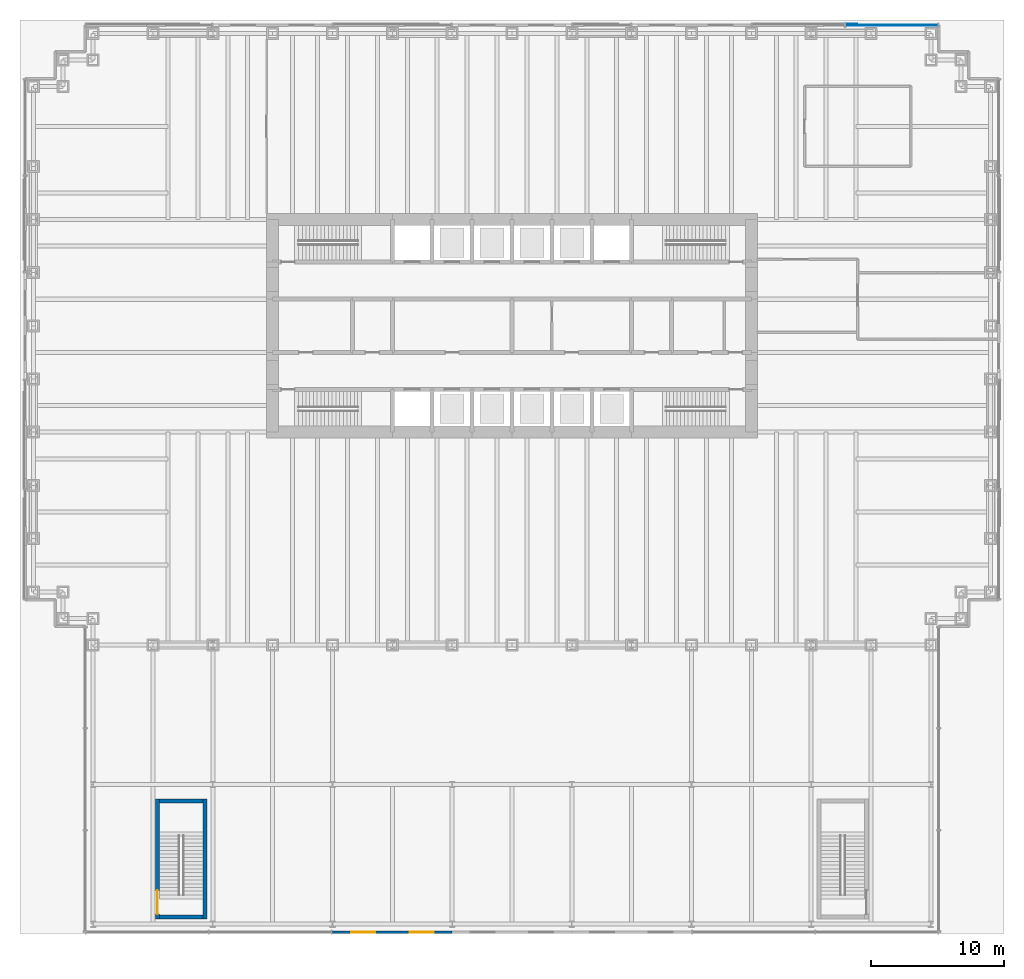
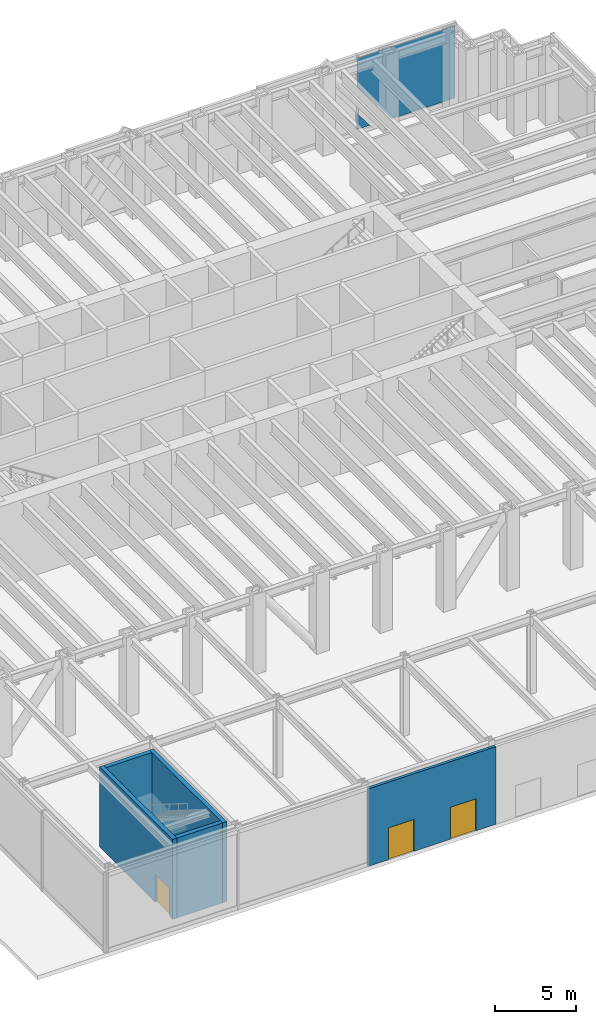
# One storey, part 11 of 17: 5 walls, 3 doors, 2 plates, 3 openings, 1 element without a shape of its own.
"""IFC4 building model written with IfcOpenShell, lengths in metres."""

from ifc_helpers import new_model, si_unit, direction, frame, frame_2d, origin, place, context, subcontext, project, spatial, polyline, rectangle, outline, extrude, material, layer, layer_set, type_object, element, fill, aggregate, save


model = new_model("IFC4")

# Units and contexts
model_context = context("Model", 3, precision=1e-05, world=origin(), true_north=direction((0.0, 1.0)))
body_context = subcontext(model_context, "Body", "Model", "MODEL_VIEW")
ifc_project = project(units=[si_unit("LENGTHUNIT", "METRE"), si_unit("AREAUNIT", "SQUARE_METRE"), si_unit("VOLUMEUNIT", "CUBIC_METRE"), si_unit("PLANEANGLEUNIT", "RADIAN"), si_unit("MASSUNIT", "GRAM", prefix="KILO")], contexts=[model_context])

# Site, building, storey
site_placement = place(None, origin())
site = spatial("IfcSite", under=ifc_project, at=site_placement, CompositionType="ELEMENT")
building_placement = place(site_placement, origin())
building = spatial("IfcBuilding", under=site, at=building_placement, Name="Rheinbord Bourse Tower", CompositionType="ELEMENT")
storey_placement = place(building_placement, origin())
storey = spatial("IfcBuildingStorey", under=building, at=storey_placement, Name="L00", CompositionType="ELEMENT", Elevation=0.0)

# Curtain wall, plates
ifc_material_1 = material(Name="Dark glass and black aluminium", Category="aluminium")
curtain_wall_type = type_object("IfcCurtainWallType", Name="CW4 DARK GLASS CURTAIN WALL", PredefinedType="USERDEFINED", material=ifc_material_1)
curtain_wall_placement = place(storey_placement, origin())
curtain_wall = element("IfcCurtainWall", 1, at=curtain_wall_placement, inside=storey, type_object=curtain_wall_type, Name="Curtain wall CW4 N L00", ObjectType="UNITISED CURTAIN WALL", PredefinedType="USERDEFINED")
ifc_material_2 = material(Name="Dark tinted triple insulating glass", Category="glass")
ifc_layer_1 = layer(ifc_material_2, 0.068115234375)
ifc_layer_set_1 = layer_set([ifc_layer_1], Name="CW4 DARK GLASS PANEL")
plate_type = type_object("IfcPlateType", Name="CW4 DARK GLASS PANEL", PredefinedType="CURTAIN_PANEL", material=ifc_layer_set_1)
plate_1_placement = place(storey_placement, frame((68.010009765625, 46.63427734375, 0.300048828125), z_axis=(0.0, -1.0, 0.0), x_axis=(0.0, 0.0, 1.0)))
plate_1 = element("IfcPlate", 2, at=plate_1_placement, type_object=plate_type, Name="CW4 glass facet 1", PredefinedType="CURTAIN_PANEL", context=body_context, shape_type="SweptSolid", body=[
    extrude(outline(polyline([(0.0, 0.0), (5.39990234375, 0.0), (5.39990234375, 6.9150390625), (3.248046875, 6.9150390625), (0.0, 4.47900390625), (0.0, 0.0)])), origin(), (0.0, 0.0, 1.0), 0.068115234375),
])
plate_2_placement = place(storey_placement, frame((61.094970703125, 46.70703125, 0.300048828125), z_axis=(0.0, -1.0, 0.0), x_axis=(1.0, 0.0, 0.0)))
plate_2 = element("IfcPlate", 3, at=plate_2_placement, type_object=plate_type, Name="CW4 glass facet 2", PredefinedType="CURTAIN_PANEL", context=body_context, shape_type="SweptSolid", body=[
    extrude(outline(polyline([(0.0, 0.0), (0.924072265625, 0.0), (0.0, 1.23193359375), (0.0, 0.0)])), origin(), (0.0, 0.0, 1.0), 0.068115234375),
])
aggregate(curtain_wall, [plate_1, plate_2])

# Wall, openings, doors
ifc_material_3 = material(Name="Dark glass and black steel screen", Category="steel")
ifc_layer_2 = layer(ifc_material_3, 0.199951171875)
ifc_layer_set_2 = layer_set([ifc_layer_2], Name="ENTRANCE SCREEN 200")
wall_type_1 = type_object("IfcWallType", Name="ENTRANCE SCREEN 200", PredefinedType="USERDEFINED", material=ifc_layer_set_2)
wall_1_placement = place(storey_placement, frame((22.5, -21.60009765625, 0.0), z_axis=(0.0, 0.0, 1.0), x_axis=(1.0, 0.0, 0.0)))
wall_1 = element("IfcWall", 4, at=wall_1_placement, inside=storey, type_object=wall_type_1, Name="Entrance screen S L00", ObjectType="GLAZED ENTRANCE SCREEN", PredefinedType="USERDEFINED", context=body_context, shape_type="SweptSolid", body=[
    extrude(rectangle(XDim=9.0, YDim=0.199951171875, at=frame_2d((4.5, 0.0))), origin(), (0.0, 0.0, 1.0), 5.820068359375),
])
opening_1_placement = place(wall_1_placement, frame((1.39990234375, 0.0, 0.0)))
opening_1 = element("IfcOpeningElement", 5, at=opening_1_placement, cuts=wall_1, Name="Opening 00ES101", PredefinedType="OPENING", context=body_context, shape_type="SweptSolid", body=[
    extrude(rectangle(XDim=1.800048828125, YDim=2.39990234375, at=frame_2d((0.89990234375, 1.199951171875))), frame((0.0, 0.10986328125, 0.0), z_axis=(0.0, -1.0, 0.0), x_axis=(1.0, 0.0, 0.0)), (0.0, 0.0, 1.0), 0.219970703125),
])
opening_2_placement = place(wall_1_placement, frame((5.800048828125, 0.0, 0.0)))
opening_2 = element("IfcOpeningElement", 6, at=opening_2_placement, cuts=wall_1, Name="Opening 00ES201", PredefinedType="OPENING", context=body_context, shape_type="SweptSolid", body=[
    extrude(rectangle(XDim=1.800048828125, YDim=2.39990234375, at=frame_2d((0.89990234375, 1.199951171875))), frame((0.0, 0.10986328125, 0.0), z_axis=(0.0, -1.0, 0.0), x_axis=(1.0, 0.0, 0.0)), (0.0, 0.0, 1.0), 0.219970703125),
])
ifc_material_4 = material(Name="Dark glass and black steel door", Category="steel")
door_type_1 = type_object("IfcDoorType", Name="ENTRANCE DOOR 1800", OperationType="DOUBLE_DOOR_DOUBLE_SWING", PredefinedType="DOOR", material=ifc_material_4)
door_1_placement = place(opening_1_placement, origin())
door_1 = element("IfcDoor", 7, at=door_1_placement, inside=storey, type_object=door_type_1, Name="Entrance door S", OperationType="SINGLE_SWING_LEFT", OverallHeight=2.39990234375, OverallWidth=1.800048828125, PredefinedType="DOOR", context=body_context, shape_type="SweptSolid", body=[
    extrude(rectangle(XDim=1.800048828125, YDim=2.39990234375, at=frame_2d((0.89990234375, 1.199951171875))), frame((0.0, 0.02490234375, 0.0), z_axis=(0.0, -1.0, 0.0), x_axis=(1.0, 0.0, 0.0)), (0.0, 0.0, 1.0), 0.050048828125),
])
fill(opening_1, door_1)
door_2_placement = place(opening_2_placement, origin())
door_2 = element("IfcDoor", 8, at=door_2_placement, inside=storey, type_object=door_type_1, Name="Entrance door S", OperationType="SINGLE_SWING_LEFT", OverallHeight=2.39990234375, OverallWidth=1.800048828125, PredefinedType="DOOR", context=body_context, shape_type="SweptSolid", body=[
    extrude(rectangle(XDim=1.800048828125, YDim=2.39990234375, at=frame_2d((0.89990234375, 1.199951171875))), frame((0.0, 0.02490234375, 0.0), z_axis=(0.0, -1.0, 0.0), x_axis=(1.0, 0.0, 0.0)), (0.0, 0.0, 1.0), 0.050048828125),
])
fill(opening_2, door_2)

# Wall, opening, door
ifc_material_5 = material(Name="Concrete C50/60", Category="concrete")
ifc_layer_3 = layer(ifc_material_5, 0.300048828125)
ifc_layer_set_3 = layer_set([ifc_layer_3], Name="PODIUM STAIR WALL 300")
wall_type_2 = type_object("IfcWallType", Name="PODIUM STAIR WALL 300", PredefinedType="SOLIDWALL", material=ifc_layer_set_3)
wall_2_placement = place(storey_placement, frame((9.35009765625, -20.60009765625, 0.0), z_axis=(0.0, 0.0, 1.0), x_axis=(0.0, 1.0, 0.0)))
wall_2 = element("IfcWall", 9, at=wall_2_placement, inside=storey, type_object=wall_type_2, Name="Stair wall ST5 W L00", PredefinedType="SOLIDWALL", context=body_context, shape_type="SweptSolid", body=[
    extrude(rectangle(XDim=9.0, YDim=0.300048828125, at=frame_2d((4.5, 0.0))), origin(), (0.0, 0.0, 1.0), 6.0),
])
opening_3_placement = place(wall_2_placement, frame((0.35009765625, 0.0, 0.0)))
opening_3 = element("IfcOpeningElement", 10, at=opening_3_placement, cuts=wall_2, Name="Opening 0051", PredefinedType="OPENING", context=body_context, shape_type="SweptSolid", body=[
    extrude(rectangle(XDim=1.800048828125, YDim=2.10009765625, at=frame_2d((0.89990234375, 1.050048828125))), frame((0.0, 0.159912109375, 0.0), z_axis=(0.0, -1.0, 0.0), x_axis=(1.0, 0.0, 0.0)), (0.0, 0.0, 1.0), 0.320068359375),
])
ifc_material_6 = material(Name="Steel door", Category="steel")
door_type_2 = type_object("IfcDoorType", Name="DOOR 1800 EI30 DOUBLE", OperationType="DOUBLE_DOOR_DOUBLE_SWING", PredefinedType="DOOR", material=ifc_material_6)
door_3_placement = place(opening_3_placement, origin())
door_3 = element("IfcDoor", 11, at=door_3_placement, inside=storey, type_object=door_type_2, Name="Stair door ST5 L00", OperationType="SINGLE_SWING_LEFT", OverallHeight=2.10009765625, OverallWidth=1.800048828125, PredefinedType="DOOR", context=body_context, shape_type="SweptSolid", body=[
    extrude(rectangle(XDim=1.800048828125, YDim=2.10009765625, at=frame_2d((0.89990234375, 1.050048828125))), frame((0.0, 0.02490234375, 0.0), z_axis=(0.0, -1.0, 0.0), x_axis=(1.0, 0.0, 0.0)), (0.0, 0.0, 1.0), 0.050048828125),
])
fill(opening_3, door_3)

# Walls
wall_3_placement = place(storey_placement, frame((12.89990234375, -20.60009765625, 0.0), z_axis=(0.0, 0.0, 1.0), x_axis=(0.0, 1.0, 0.0)))
element("IfcWall", 12, at=wall_3_placement, inside=storey, type_object=wall_type_2, Name="Stair wall ST5 E L00", PredefinedType="SOLIDWALL", context=body_context, shape_type="SweptSolid", body=[
    extrude(rectangle(XDim=9.0, YDim=0.300048828125, at=frame_2d((4.5, 0.0))), origin(), (0.0, 0.0, 1.0), 6.0),
])
for number, where, z_axis, x_axis, name in (
    (13, (9.5, -20.449951171875, 0.0), (0.0, 0.0, 1.0), (1.0, 0.0, 0.0), "Stair wall ST5 S L00"),
    (14, (9.5, -11.75, 0.0), (0.0, 0.0, 1.0), (1.0, 0.0, 0.0), "Stair wall ST5 N L00"),
):
    element("IfcWall", number, at=place(storey_placement, frame(where, z_axis=z_axis, x_axis=x_axis)), inside=storey, type_object=wall_type_2, Name=name, PredefinedType="SOLIDWALL", context=body_context, shape_type="SweptSolid", body=[
        extrude(rectangle(XDim=3.25, YDim=0.300048828125, at=frame_2d((1.625, 0.0))), origin(), (0.0, 0.0, 1.0), 6.0),
    ])

save(model, "model.ifc")
